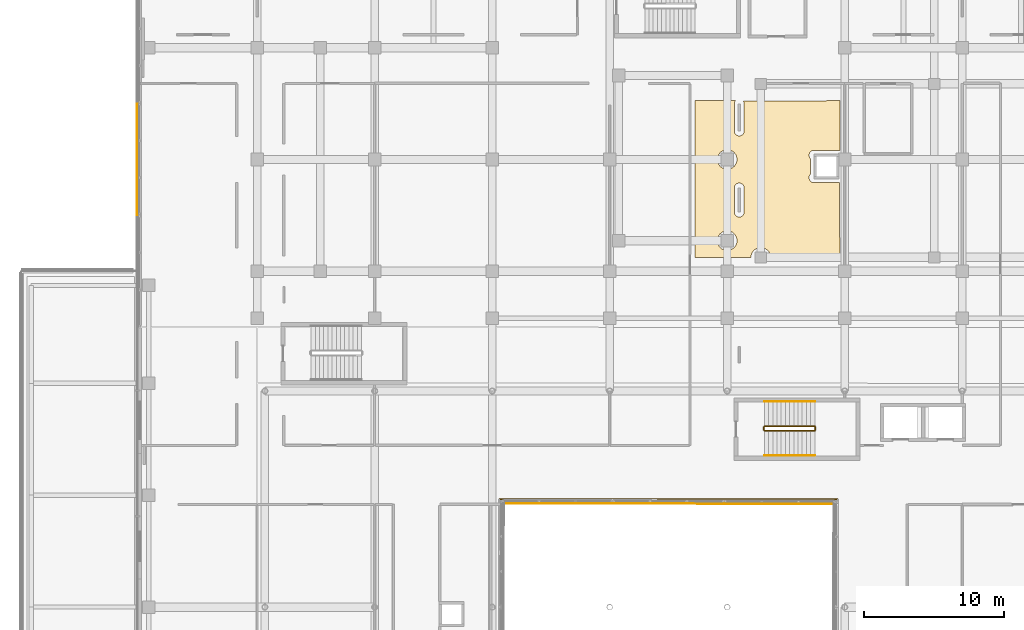
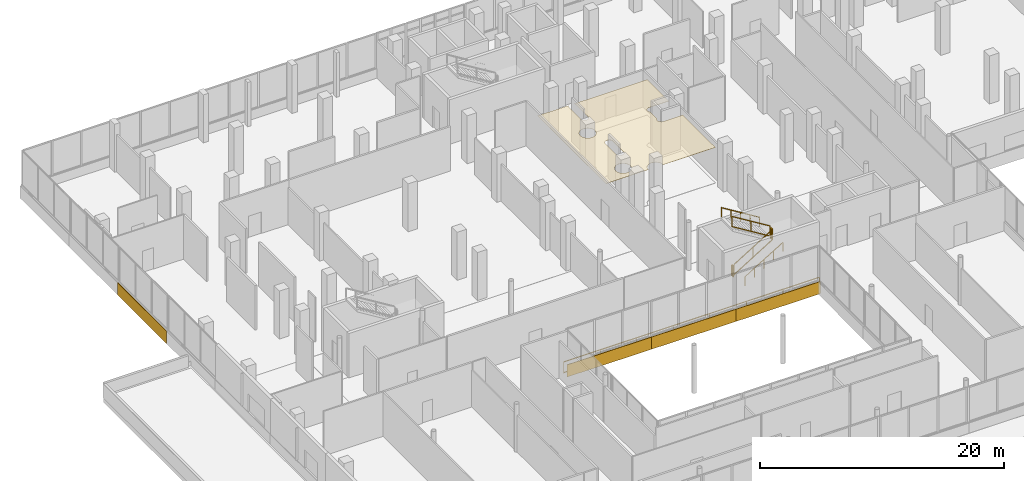
# One storey, part 162 of 168: 7 railings, 5 coverings.
"""IFC4 building model written with IfcOpenShell, lengths in metres."""

from ifc_helpers import new_model, si_unit, direction, frame, origin, origin_2d, place, context, subcontext, project, spatial, polyline, rectangle, circle, outline, extrude, material, layer, layer_set, type_object, element, save


model = new_model("IFC4")

# Units and contexts
model_context = context("Model", 3, precision=1e-05, world=origin(), true_north=direction((0.0, 1.0)))
body_context = subcontext(model_context, "Body", "Model", "MODEL_VIEW")
ifc_project = project(units=[si_unit("LENGTHUNIT", "METRE"), si_unit("AREAUNIT", "SQUARE_METRE"), si_unit("VOLUMEUNIT", "CUBIC_METRE"), si_unit("PLANEANGLEUNIT", "RADIAN"), si_unit("MASSUNIT", "GRAM", prefix="KILO")], contexts=[model_context])

# Site, building, storey
site_placement = place(None, origin())
site = spatial("IfcSite", under=ifc_project, at=site_placement, CompositionType="ELEMENT")
building_placement = place(site_placement, origin())
building = spatial("IfcBuilding", under=site, at=building_placement, Name="Selatvlak General Hospital", CompositionType="ELEMENT")
storey_placement = place(building_placement, frame((0.0, 0.0, 5.39990234375)))
storey = spatial("IfcBuildingStorey", under=building, at=storey_placement, Name="L01", CompositionType="ELEMENT", Elevation=5.39990234375)

# Coverings
ifc_material_1 = material(Name="Acoustic mineral fibre ceiling tile")
ifc_layer_1 = layer(ifc_material_1, 0.02490234375, Name="Acoustic mineral fibre ceiling tile")
ifc_layer_set_1 = layer_set([ifc_layer_1], Name="Acoustic mineral fibre ceiling tile")
covering_type_1 = type_object("IfcCoveringType", Name="COV-CEIL1", PredefinedType="CEILING", material=ifc_layer_set_1)
covering_1_placement = place(storey_placement, frame((0.0, 0.0, 3.545166015625)))
element("IfcCovering", 1, at=covering_1_placement, inside=storey, type_object=covering_type_1, Name="L01 clinical acoustic ceiling 003", PredefinedType="CEILING", context=body_context, shape_type="SweptSolid", body=[
    extrude(outline(polyline([(57.0009765625, 104.199951171875), (56.968994140625, 104.158935546875), (56.950927734375, 104.1298828125), (56.93701171875, 104.09912109375), (56.925048828125, 104.06689453125), (56.9169921875, 104.032958984375), (56.912109375, 103.9990234375), (56.909912109375, 103.965087890625), (56.909912109375, 102.034912109375), (56.912109375, 102.0009765625), (56.9169921875, 101.967041015625), (56.925048828125, 101.93310546875), (56.93701171875, 101.90087890625), (56.950927734375, 101.8701171875), (56.968994140625, 101.841064453125), (56.989013671875, 101.81298828125), (57.012939453125, 101.7880859375), (57.0380859375, 101.763916015625), (57.06591796875, 101.743896484375), (57.094970703125, 101.72607421875), (57.1259765625, 101.7119140625), (57.157958984375, 101.699951171875), (57.19189453125, 101.69189453125), (57.22607421875, 101.68701171875), (57.260009765625, 101.68505859375), (57.2939453125, 101.68701171875), (57.327880859375, 101.69189453125), (57.362060546875, 101.699951171875), (57.39404296875, 101.7119140625), (57.425048828125, 101.72607421875), (57.4541015625, 101.743896484375), (57.48193359375, 101.763916015625), (57.507080078125, 101.7880859375), (57.531005859375, 101.81298828125), (57.551025390625, 101.841064453125), (57.569091796875, 101.8701171875), (57.5830078125, 101.90087890625), (57.594970703125, 101.93310546875), (57.60302734375, 101.967041015625), (57.60791015625, 102.0009765625), (57.610107421875, 102.034912109375), (57.610107421875, 103.965087890625), (57.60791015625, 103.9990234375), (57.60302734375, 104.032958984375), (57.594970703125, 104.06689453125), (57.5830078125, 104.09912109375), (57.569091796875, 104.1298828125), (57.551025390625, 104.158935546875), (57.531005859375, 104.18701171875), (64.449951171875, 104.199951171875), (64.449951171875, 100.64599609375), (64.39990234375, 100.64990234375), (62.60009765625, 100.64990234375), (62.56591796875, 100.64794921875), (62.531982421875, 100.64306640625), (62.498046875, 100.635009765625), (62.466064453125, 100.623046875), (62.43505859375, 100.60888671875), (62.406005859375, 100.591064453125), (62.3779296875, 100.571044921875), (62.35302734375, 100.547119140625), (62.3291015625, 100.52197265625), (62.30908203125, 100.493896484375), (62.291015625, 100.465087890625), (62.277099609375, 100.43408203125), (62.264892578125, 100.402099609375), (62.257080078125, 100.367919921875), (62.251953125, 100.333984375), (62.25, 100.300048828125), (62.251953125, 100.26611328125), (62.257080078125, 100.23193359375), (62.264892578125, 100.197998046875), (62.277099609375, 100.166015625), (62.291015625, 100.135009765625), (62.30908203125, 100.10595703125), (62.3291015625, 100.077880859375), (62.35009765625, 100.054931640625), (62.35009765625, 98.945068359375), (62.3291015625, 98.922119140625), (62.30908203125, 98.89404296875), (62.291015625, 98.864990234375), (62.277099609375, 98.833984375), (62.264892578125, 98.802001953125), (62.257080078125, 98.76806640625), (62.251953125, 98.73388671875), (62.25, 98.699951171875), (62.251953125, 98.666015625), (62.257080078125, 98.632080078125), (62.264892578125, 98.597900390625), (62.277099609375, 98.56591796875), (62.291015625, 98.534912109375), (62.30908203125, 98.506103515625), (62.3291015625, 98.47802734375), (62.35302734375, 98.452880859375), (62.3779296875, 98.428955078125), (62.406005859375, 98.408935546875), (62.43505859375, 98.39111328125), (62.466064453125, 98.376953125), (62.498046875, 98.364990234375), (62.531982421875, 98.35693359375), (62.56591796875, 98.35205078125), (62.60009765625, 98.35009765625), (64.39990234375, 98.35009765625), (64.43408203125, 98.35205078125), (64.449951171875, 93.0), (59.5, 93.0), (59.4970703125, 93.069091796875), (59.487060546875, 93.136962890625), (59.469970703125, 93.202880859375), (59.447021484375, 93.26806640625), (59.4169921875, 93.330078125), (59.382080078125, 93.388916015625), (59.341064453125, 93.444091796875), (59.294921875, 93.4951171875), (59.243896484375, 93.541015625), (59.18896484375, 93.58203125), (59.1298828125, 93.616943359375), (59.068115234375, 93.64697265625), (59.0029296875, 93.669921875), (58.93701171875, 93.68701171875), (58.868896484375, 93.697021484375), (58.800048828125, 93.699951171875), (58.73095703125, 93.697021484375), (58.6630859375, 93.68701171875), (58.596923828125, 93.669921875), (58.531982421875, 93.64697265625), (58.469970703125, 93.616943359375), (58.410888671875, 93.58203125), (58.35595703125, 93.541015625), (58.304931640625, 93.4951171875), (58.259033203125, 93.444091796875), (58.218017578125, 93.388916015625), (58.18310546875, 93.330078125), (58.153076171875, 93.26806640625), (58.1298828125, 93.202880859375), (58.113037109375, 93.136962890625), (58.10302734375, 93.069091796875), (58.10009765625, 93.0), (54.090087890625, 93.0), (54.090087890625, 104.199951171875), (57.0009765625, 104.199951171875)]), holes=[polyline([(56.89501953125, 93.705078125), (56.94091796875, 93.756103515625), (56.98193359375, 93.81103515625), (57.01708984375, 93.8701171875), (57.047119140625, 93.931884765625), (57.070068359375, 93.9970703125), (57.0869140625, 94.06298828125), (57.096923828125, 94.131103515625), (57.10009765625, 94.199951171875), (57.096923828125, 94.26904296875), (57.0869140625, 94.3369140625), (57.070068359375, 94.403076171875), (57.047119140625, 94.468017578125), (57.01708984375, 94.530029296875), (56.98193359375, 94.589111328125), (56.94091796875, 94.64404296875), (56.89501953125, 94.695068359375), (56.843994140625, 94.740966796875), (56.7890625, 94.781982421875), (56.72998046875, 94.81689453125), (56.66796875, 94.846923828125), (56.60302734375, 94.8701171875), (56.537109375, 94.886962890625), (56.468994140625, 94.89697265625), (56.39990234375, 94.89990234375), (56.3310546875, 94.89697265625), (56.262939453125, 94.886962890625), (56.197021484375, 94.8701171875), (56.132080078125, 94.846923828125), (56.070068359375, 94.81689453125), (56.010986328125, 94.781982421875), (55.9560546875, 94.740966796875), (55.905029296875, 94.695068359375), (55.85888671875, 94.64404296875), (55.818115234375, 94.589111328125), (55.782958984375, 94.530029296875), (55.7529296875, 94.468017578125), (55.72998046875, 94.403076171875), (55.712890625, 94.3369140625), (55.702880859375, 94.26904296875), (55.699951171875, 94.199951171875), (55.702880859375, 94.131103515625), (55.712890625, 94.06298828125), (55.72998046875, 93.9970703125), (55.7529296875, 93.931884765625), (55.782958984375, 93.8701171875), (55.818115234375, 93.81103515625), (55.85888671875, 93.756103515625), (55.905029296875, 93.705078125), (55.9560546875, 93.658935546875), (56.010986328125, 93.617919921875), (56.070068359375, 93.5830078125), (56.132080078125, 93.552978515625), (56.197021484375, 93.530029296875), (56.262939453125, 93.512939453125), (56.3310546875, 93.5029296875), (56.39990234375, 93.5), (56.468994140625, 93.5029296875), (56.537109375, 93.512939453125), (56.60302734375, 93.530029296875), (56.66796875, 93.552978515625), (56.72998046875, 93.5830078125), (56.7890625, 93.617919921875), (56.843994140625, 93.658935546875), (56.89501953125, 93.705078125)]), polyline([(56.89501953125, 99.5048828125), (56.94091796875, 99.555908203125), (56.98193359375, 99.611083984375), (57.01708984375, 99.669921875), (57.047119140625, 99.73193359375), (57.070068359375, 99.797119140625), (57.0869140625, 99.863037109375), (57.096923828125, 99.930908203125), (57.10009765625, 100.0), (57.096923828125, 100.069091796875), (57.0869140625, 100.136962890625), (57.070068359375, 100.202880859375), (57.047119140625, 100.26806640625), (57.01708984375, 100.330078125), (56.98193359375, 100.388916015625), (56.94091796875, 100.444091796875), (56.89501953125, 100.4951171875), (56.843994140625, 100.541015625), (56.7890625, 100.58203125), (56.72998046875, 100.616943359375), (56.66796875, 100.64697265625), (56.60302734375, 100.669921875), (56.537109375, 100.68701171875), (56.468994140625, 100.697021484375), (56.39990234375, 100.699951171875), (56.3310546875, 100.697021484375), (56.262939453125, 100.68701171875), (56.197021484375, 100.669921875), (56.132080078125, 100.64697265625), (56.070068359375, 100.616943359375), (56.010986328125, 100.58203125), (55.9560546875, 100.541015625), (55.905029296875, 100.4951171875), (55.85888671875, 100.444091796875), (55.818115234375, 100.388916015625), (55.782958984375, 100.330078125), (55.7529296875, 100.26806640625), (55.72998046875, 100.202880859375), (55.712890625, 100.136962890625), (55.702880859375, 100.069091796875), (55.699951171875, 100.0), (55.702880859375, 99.930908203125), (55.712890625, 99.863037109375), (55.72998046875, 99.797119140625), (55.7529296875, 99.73193359375), (55.782958984375, 99.669921875), (55.818115234375, 99.611083984375), (55.85888671875, 99.555908203125), (55.905029296875, 99.5048828125), (55.9560546875, 99.458984375), (56.010986328125, 99.41796875), (56.070068359375, 99.383056640625), (56.132080078125, 99.35302734375), (56.197021484375, 99.330078125), (56.262939453125, 99.31298828125), (56.3310546875, 99.302978515625), (56.39990234375, 99.300048828125), (56.468994140625, 99.302978515625), (56.537109375, 99.31298828125), (56.60302734375, 99.330078125), (56.66796875, 99.35302734375), (56.72998046875, 99.383056640625), (56.7890625, 99.41796875), (56.843994140625, 99.458984375), (56.89501953125, 99.5048828125)]), polyline([(57.0380859375, 98.236083984375), (57.012939453125, 98.2119140625), (56.989013671875, 98.18701171875), (56.968994140625, 98.158935546875), (56.950927734375, 98.1298828125), (56.93701171875, 98.09912109375), (56.925048828125, 98.06689453125), (56.9169921875, 98.032958984375), (56.912109375, 97.9990234375), (56.909912109375, 97.965087890625), (56.909912109375, 96.235107421875), (56.912109375, 96.200927734375), (56.9169921875, 96.1669921875), (56.925048828125, 96.133056640625), (56.93701171875, 96.10107421875), (56.950927734375, 96.070068359375), (56.968994140625, 96.041015625), (56.989013671875, 96.012939453125), (57.012939453125, 95.988037109375), (57.0380859375, 95.964111328125), (57.06591796875, 95.944091796875), (57.094970703125, 95.926025390625), (57.1259765625, 95.912109375), (57.157958984375, 95.89990234375), (57.19189453125, 95.89208984375), (57.22607421875, 95.886962890625), (57.260009765625, 95.885009765625), (57.2939453125, 95.886962890625), (57.327880859375, 95.89208984375), (57.362060546875, 95.89990234375), (57.39404296875, 95.912109375), (57.425048828125, 95.926025390625), (57.4541015625, 95.944091796875), (57.48193359375, 95.964111328125), (57.507080078125, 95.988037109375), (57.531005859375, 96.012939453125), (57.551025390625, 96.041015625), (57.569091796875, 96.070068359375), (57.5830078125, 96.10107421875), (57.594970703125, 96.133056640625), (57.60302734375, 96.1669921875), (57.60791015625, 96.200927734375), (57.610107421875, 96.235107421875), (57.610107421875, 97.965087890625), (57.60791015625, 97.9990234375), (57.60302734375, 98.032958984375), (57.594970703125, 98.06689453125), (57.5830078125, 98.09912109375), (57.569091796875, 98.1298828125), (57.551025390625, 98.158935546875), (57.531005859375, 98.18701171875), (57.507080078125, 98.2119140625), (57.48193359375, 98.236083984375), (57.4541015625, 98.256103515625), (57.425048828125, 98.27392578125), (57.39404296875, 98.2880859375), (57.362060546875, 98.300048828125), (57.327880859375, 98.30810546875), (57.2939453125, 98.31298828125), (57.260009765625, 98.31494140625), (57.22607421875, 98.31298828125), (57.19189453125, 98.30810546875), (57.157958984375, 98.300048828125), (57.1259765625, 98.2880859375), (57.094970703125, 98.27392578125), (57.06591796875, 98.256103515625), (57.0380859375, 98.236083984375)])]), origin(), (0.0, 0.0, 1.0), 0.02490234375),
])
ifc_material_2 = material(Name="White Bauhaus fair-faced cladding panel")
ifc_layer_2 = layer(ifc_material_2, 0.054931640625, Name="White Bauhaus fair-faced cladding panel")
ifc_layer_set_2 = layer_set([ifc_layer_2], Name="White Bauhaus fair-faced cladding panel")
covering_type_2 = type_object("IfcCoveringType", Name="COV-WHT1", PredefinedType="CLADDING", material=ifc_layer_set_2)
covering_2_placement = place(storey_placement, frame((14.235107421875, 99.9990234375, -0.27978515625), z_axis=(0.0, 0.0, 1.0), x_axis=(0.0, 1.0, 0.0)))
element("IfcCovering", 2, at=covering_2_placement, inside=storey, type_object=covering_type_2, Name="L01 Bauhaus horizontal white spandrel band 0047", PredefinedType="CLADDING", context=body_context, shape_type="SweptSolid", body=[
    extrude(rectangle(XDim=8.0, YDim=0.054931640625, at=origin_2d()), origin(), (0.0, 0.0, 1.0), 1.219970703125),
])
for number, where, z_axis, x_axis, name in (
    (3, (60.2099609375, 75.385009765625, -0.27978515625), (0.0, 0.0, 1.0), (-0.999996841728, 0.002513271477, 0.0), "L01 Bauhaus horizontal white spandrel band 0131"),
    (4, (52.22998046875, 75.405029296875, -0.27978515625), (0.0, 0.0, 1.0), (-0.999996841728, 0.002513271477, 0.0), "L01 Bauhaus horizontal white spandrel band 0132"),
    (5, (44.25, 75.425048828125, -0.27978515625), (0.0, 0.0, 1.0), (-0.999996841728, 0.002513271477, 0.0), "L01 Bauhaus horizontal white spandrel band 0133"),
):
    element("IfcCovering", number, at=place(storey_placement, frame(where, z_axis=z_axis, x_axis=x_axis)), inside=storey, type_object=covering_type_2, Name=name, PredefinedType="CLADDING", context=body_context, shape_type="SweptSolid", body=[
        extrude(rectangle(XDim=7.97998046875, YDim=0.054931640625, at=origin_2d()), origin(), (0.0, 0.0, 1.0), 1.219970703125),
    ])

# Railings
ifc_material_3 = material(Name="Stainless steel 316 atrium guard", Category="steel")
railing_type_1 = type_object("IfcRailingType", Name="RAIL-ATR", PredefinedType="GUARDRAIL", material=ifc_material_3)
railing_1_placement = place(storey_placement, frame((64.2958984375, 75.699951171875, 0.0)))
element("IfcRailing", 6, at=railing_1_placement, inside=storey, type_object=railing_type_1, Name="L01 main concourse hall atrium void guard N", PredefinedType="GUARDRAIL", context=body_context, shape_type="SweptSolid", body=[
    extrude(rectangle(XDim=0.068115234375, YDim=0.068115234375, at=origin_2d()), frame((-0.0029296875, 0.0, 1.11572265625), z_axis=(-1.0, 0.0, 0.0), x_axis=(0.0, -1.0, 0.0)), (0.0, 0.0, 1.0), 24.18603515625),
    extrude(rectangle(XDim=0.068115234375, YDim=0.068115234375, at=origin_2d()), frame((-0.0029296875, 0.0, 0.049072265625), z_axis=(-1.0, 0.0, 0.0), x_axis=(0.0, -1.0, 0.0)), (0.0, 0.0, 1.0), 24.18603515625),
    extrude(rectangle(XDim=0.055908203125, YDim=0.055908203125, at=origin_2d()), origin(), (0.0, 0.0, 1.0), 1.078857421875),
    extrude(rectangle(XDim=0.055908203125, YDim=0.055908203125, at=origin_2d()), frame((-3.4560546875, 0.0, 0.0)), (0.0, 0.0, 1.0), 1.078857421875),
    extrude(rectangle(XDim=0.055908203125, YDim=0.055908203125, at=origin_2d()), frame((-6.911865234375, 0.0, 0.0)), (0.0, 0.0, 1.0), 1.078857421875),
    extrude(rectangle(XDim=0.055908203125, YDim=0.055908203125, at=origin_2d()), frame((-10.367919921875, 0.0, 0.0)), (0.0, 0.0, 1.0), 1.078857421875),
    extrude(rectangle(XDim=0.055908203125, YDim=0.055908203125, at=origin_2d()), frame((-13.823974609375, 0.0, 0.0)), (0.0, 0.0, 1.0), 1.078857421875),
    extrude(rectangle(XDim=0.055908203125, YDim=0.055908203125, at=origin_2d()), frame((-17.280029296875, 0.0, 0.0)), (0.0, 0.0, 1.0), 1.078857421875),
    extrude(rectangle(XDim=0.055908203125, YDim=0.055908203125, at=origin_2d()), frame((-20.73583984375, 0.0, 0.0)), (0.0, 0.0, 1.0), 1.078857421875),
    extrude(rectangle(XDim=0.055908203125, YDim=0.055908203125, at=origin_2d()), frame((-24.19189453125, 0.0, 0.0)), (0.0, 0.0, 1.0), 1.078857421875),
])
ifc_material_4 = material(Name="Stainless steel 316 stair guard", Category="steel")
railing_type_2 = type_object("IfcRailingType", Name="RAIL-STG", PredefinedType="GUARDRAIL", material=ifc_material_4)
railing_2_placement = place(storey_placement, frame((59.06005859375, 80.610107421875, 0.184814453125)))
element("IfcRailing", 7, at=railing_2_placement, inside=storey, type_object=railing_type_2, Name="L01 ST-05 stair guard 1", PredefinedType="GUARDRAIL", context=body_context, shape_type="SweptSolid", body=[
    extrude(rectangle(XDim=0.068115234375, YDim=0.068115234375, at=origin_2d()), frame((0.00244140625, 0.0, 1.067626953125), z_axis=(0.851654350407, 0.0, 0.524103870844), x_axis=(0.0, 1.0, 0.0)), (0.0, 0.0, 1.0), 4.220947265625),
    extrude(rectangle(XDim=0.068115234375, YDim=0.068115234375, at=origin_2d()), frame((0.00244140625, 0.0, 0.050537109375), z_axis=(0.851654350407, 0.0, 0.524103870844), x_axis=(0.0, 1.0, 0.0)), (0.0, 0.0, 1.0), 4.220947265625),
    extrude(rectangle(XDim=0.055908203125, YDim=0.055908203125, at=origin_2d()), origin(), (0.0, 0.0, 1.0), 1.029052734375),
    extrude(rectangle(XDim=0.055908203125, YDim=0.055908203125, at=origin_2d()), frame((1.7998046875, 0.0, 1.107666015625)), (0.0, 0.0, 1.0), 1.029052734375),
    extrude(rectangle(XDim=0.055908203125, YDim=0.055908203125, at=origin_2d()), frame((3.599853515625, 0.0, 2.21533203125)), (0.0, 0.0, 1.0), 1.029052734375),
])
railing_3_placement = place(storey_placement, frame((62.7099609375, 80.659912109375, 2.400146484375)))
element("IfcRailing", 8, at=railing_3_placement, inside=storey, type_object=railing_type_2, Name="L01 ST-05 stair guard 2", PredefinedType="GUARDRAIL", context=body_context, shape_type="SweptSolid", body=[
    extrude(rectangle(XDim=0.068115234375, YDim=0.068115234375, at=origin_2d()), frame((0.0, 0.0029296875, 1.06591796875), z_axis=(0.0, 1.0, 0.0), x_axis=(-1.0, 0.0, 0.0)), (0.0, 0.0, 1.0), 0.214111328125),
    extrude(rectangle(XDim=0.068115234375, YDim=0.068115234375, at=origin_2d()), frame((0.0, 0.0029296875, 0.049072265625), z_axis=(0.0, 1.0, 0.0), x_axis=(-1.0, 0.0, 0.0)), (0.0, 0.0, 1.0), 0.214111328125),
    extrude(rectangle(XDim=0.055908203125, YDim=0.055908203125, at=origin_2d()), origin(), (0.0, 0.0, 1.0), 1.029052734375),
    extrude(rectangle(XDim=0.055908203125, YDim=0.055908203125, at=origin_2d()), frame((0.0, 0.219970703125, 0.0)), (0.0, 0.0, 1.0), 1.029052734375),
])
railing_4_placement = place(storey_placement, frame((62.659912109375, 80.929931640625, 2.584716796875)))
element("IfcRailing", 9, at=railing_4_placement, inside=storey, type_object=railing_type_2, Name="L01 ST-05 stair guard 3", PredefinedType="GUARDRAIL", context=body_context, shape_type="SweptSolid", body=[
    extrude(rectangle(XDim=0.068115234375, YDim=0.068115234375, at=origin_2d()), frame((-0.00244140625, 0.0, 1.067626953125), z_axis=(-0.851654350407, 0.0, 0.524103870844), x_axis=(0.0, -1.0, 0.0)), (0.0, 0.0, 1.0), 4.220947265625),
    extrude(rectangle(XDim=0.068115234375, YDim=0.068115234375, at=origin_2d()), frame((-0.00244140625, 0.0, 0.050537109375), z_axis=(-0.851654350407, 0.0, 0.524103870844), x_axis=(0.0, -1.0, 0.0)), (0.0, 0.0, 1.0), 4.220947265625),
    extrude(rectangle(XDim=0.055908203125, YDim=0.055908203125, at=origin_2d()), origin(), (0.0, 0.0, 1.0), 1.029052734375),
    extrude(rectangle(XDim=0.055908203125, YDim=0.055908203125, at=origin_2d()), frame((-1.7998046875, 0.0, 1.107666015625)), (0.0, 0.0, 1.0), 1.029052734375),
    extrude(rectangle(XDim=0.055908203125, YDim=0.055908203125, at=origin_2d()), frame((-3.599853515625, 0.0, 2.21533203125)), (0.0, 0.0, 1.0), 1.029052734375),
])
railing_5_placement = place(storey_placement, frame((59.010009765625, 80.659912109375, 0.0)))
element("IfcRailing", 10, at=railing_5_placement, inside=storey, type_object=railing_type_2, Name="L01 ST-05 stair guard 4", PredefinedType="GUARDRAIL", context=body_context, shape_type="SweptSolid", body=[
    extrude(rectangle(XDim=0.068115234375, YDim=0.068115234375, at=origin_2d()), frame((0.0, 0.0029296875, 1.06591796875), z_axis=(0.0, 1.0, 0.0), x_axis=(-1.0, 0.0, 0.0)), (0.0, 0.0, 1.0), 0.214111328125),
    extrude(rectangle(XDim=0.068115234375, YDim=0.068115234375, at=origin_2d()), frame((0.0, 0.0029296875, 0.049072265625), z_axis=(0.0, 1.0, 0.0), x_axis=(-1.0, 0.0, 0.0)), (0.0, 0.0, 1.0), 0.214111328125),
    extrude(rectangle(XDim=0.055908203125, YDim=0.055908203125, at=origin_2d()), origin(), (0.0, 0.0, 1.0), 1.029052734375),
    extrude(rectangle(XDim=0.055908203125, YDim=0.055908203125, at=origin_2d()), frame((0.0, 0.219970703125, 0.0)), (0.0, 0.0, 1.0), 1.029052734375),
])
ifc_material_5 = material(Name="Stainless steel 316 handrail", Category="steel")
railing_type_3 = type_object("IfcRailingType", Name="RAIL-STH", PredefinedType="HANDRAIL", material=ifc_material_5)
railing_6_placement = place(storey_placement, frame((59.06005859375, 78.85009765625, 0.184814453125)))
element("IfcRailing", 11, at=railing_6_placement, inside=storey, type_object=railing_type_3, Name="L01 ST-05 stair handrail 1", PredefinedType="HANDRAIL", context=body_context, shape_type="SweptSolid", body=[
    extrude(circle(Radius=0.02392578125, at=origin_2d()), frame((0.00244140625, 0.0, 0.87744140625), z_axis=(0.851654350407, 0.0, 0.524103870844), x_axis=(0.0, 1.0, 0.0)), (0.0, 0.0, 1.0), 4.220947265625),
    extrude(circle(Radius=0.02099609375, at=origin_2d()), origin(), (0.0, 0.0, 1.0), 0.848876953125),
    extrude(circle(Radius=0.02099609375, at=origin_2d()), frame((0.89990234375, 0.0, 0.5537109375)), (0.0, 0.0, 1.0), 0.848876953125),
    extrude(circle(Radius=0.02099609375, at=origin_2d()), frame((1.7998046875, 0.0, 1.107666015625)), (0.0, 0.0, 1.0), 0.848876953125),
    extrude(circle(Radius=0.02099609375, at=origin_2d()), frame((2.699951171875, 0.0, 1.66162109375)), (0.0, 0.0, 1.0), 0.848876953125),
    extrude(circle(Radius=0.02099609375, at=origin_2d()), frame((3.599853515625, 0.0, 2.21533203125)), (0.0, 0.0, 1.0), 0.848876953125),
])
railing_7_placement = place(storey_placement, frame((62.659912109375, 82.68994140625, 2.584716796875)))
element("IfcRailing", 12, at=railing_7_placement, inside=storey, type_object=railing_type_3, Name="L01 ST-05 stair handrail 2", PredefinedType="HANDRAIL", context=body_context, shape_type="SweptSolid", body=[
    extrude(circle(Radius=0.02392578125, at=origin_2d()), frame((-0.00244140625, 0.0, 0.87744140625), z_axis=(-0.851654350407, 0.0, 0.524103870844), x_axis=(0.0, -1.0, 0.0)), (0.0, 0.0, 1.0), 4.220947265625),
    extrude(circle(Radius=0.02099609375, at=origin_2d()), origin(), (0.0, 0.0, 1.0), 0.848876953125),
    extrude(circle(Radius=0.02099609375, at=origin_2d()), frame((-0.89990234375, 0.0, 0.5537109375)), (0.0, 0.0, 1.0), 0.848876953125),
    extrude(circle(Radius=0.02099609375, at=origin_2d()), frame((-1.7998046875, 0.0, 1.107666015625)), (0.0, 0.0, 1.0), 0.848876953125),
    extrude(circle(Radius=0.02099609375, at=origin_2d()), frame((-2.699951171875, 0.0, 1.66162109375)), (0.0, 0.0, 1.0), 0.848876953125),
    extrude(circle(Radius=0.02099609375, at=origin_2d()), frame((-3.599853515625, 0.0, 2.21533203125)), (0.0, 0.0, 1.0), 0.848876953125),
])

save(model, "model.ifc")
